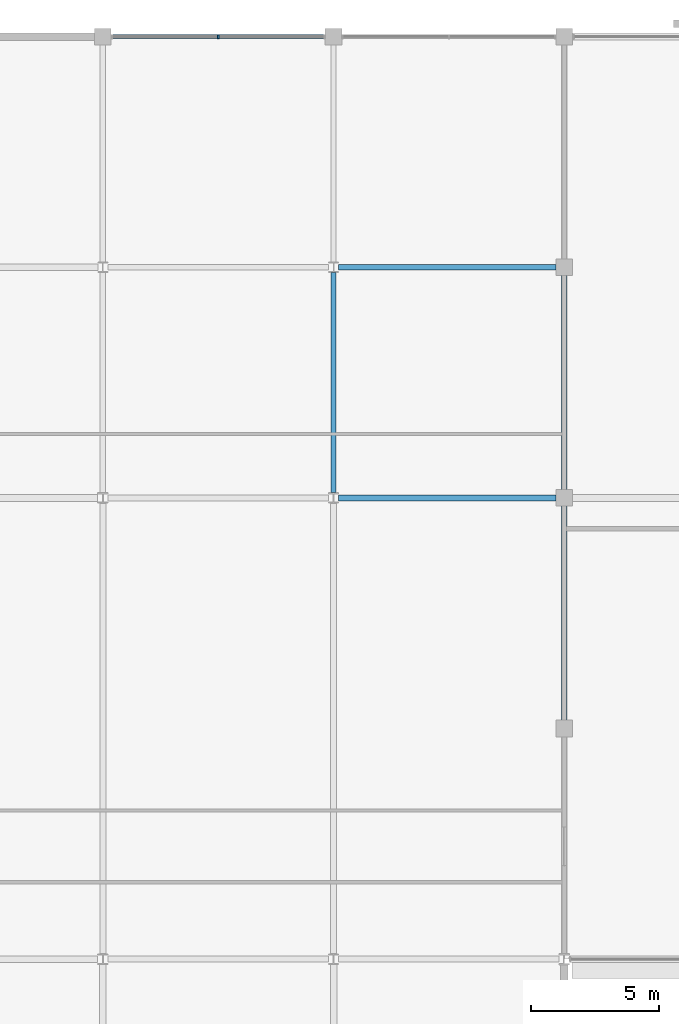
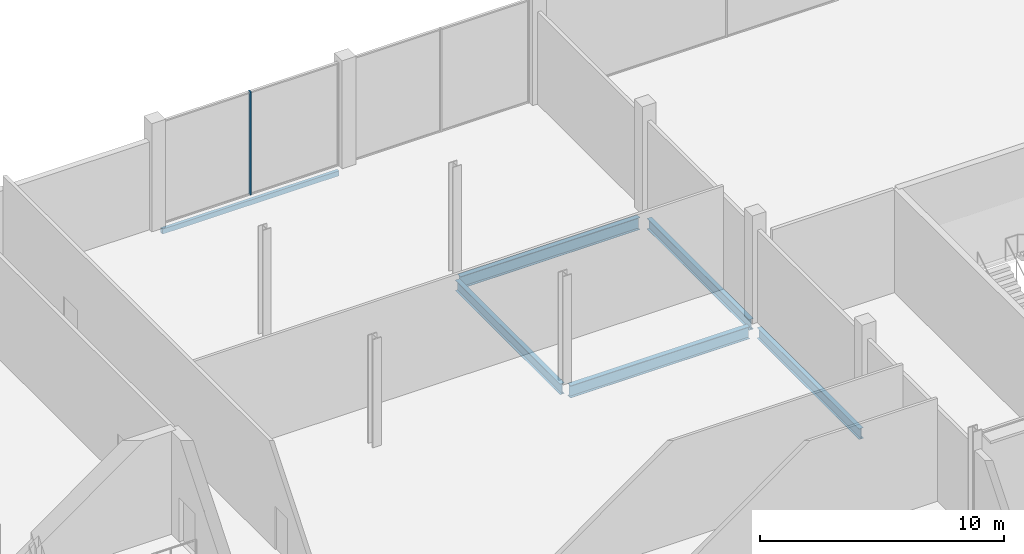
# One storey, part 30 of 111: 6 beams, 1 member, 1 element without a shape of its own.
"""IFC4 building model written with IfcOpenShell, lengths in metres."""

from ifc_helpers import new_model, si_unit, direction, frame, origin, origin_2d, place, context, subcontext, project, spatial, rectangle, hollow_rectangle, i_section, extrude, material, layer, layer_set, material_profile, profile_set, type_object, element, aggregate, save


model = new_model("IFC4")

# Units and contexts
model_context = context("Model", 3, precision=1e-05, world=origin(), true_north=direction((0.0, 1.0)))
body_context = subcontext(model_context, "Body", "Model", "MODEL_VIEW")
ifc_project = project(units=[si_unit("LENGTHUNIT", "METRE"), si_unit("AREAUNIT", "SQUARE_METRE"), si_unit("VOLUMEUNIT", "CUBIC_METRE"), si_unit("PLANEANGLEUNIT", "RADIAN"), si_unit("MASSUNIT", "GRAM", prefix="KILO")], contexts=[model_context])

# Site, building, storey
site_placement = place(None, origin())
site = spatial("IfcSite", under=ifc_project, at=site_placement, CompositionType="ELEMENT")
building_placement = place(site_placement, origin())
building = spatial("IfcBuilding", under=site, at=building_placement, Name="Kisiwana Market Hall", CompositionType="ELEMENT")
storey_placement = place(building_placement, frame((0.0, 0.0, 11.39990234375)))
storey = spatial("IfcBuildingStorey", under=building, at=storey_placement, Name="L02", CompositionType="ELEMENT", Elevation=11.39990234375)

# Beams
ifc_material_1 = material(Name="Steel S355", Category="steel")
ifc_material_profile_1 = material_profile(ifc_material_1, i_section(OverallWidth=0.209228515625, OverallDepth=0.533203125, WebThickness=0.010009765625, FlangeThickness=0.015625, at=origin_2d()), Name="UB 533x210x92")
ifc_profile_set_1 = profile_set([ifc_material_profile_1], Name="Steel S355")
beam_type_1 = type_object("IfcBeamType", Name="BM-GIRD-UB533", PredefinedType="BEAM", material=ifc_profile_set_1)
beam_1_placement = place(storey_placement, frame((36.0, 102.21337890625, -0.516357421875), z_axis=(0.0, 1.0, 0.0), x_axis=(-1.0, 0.0, 0.0)))
element("IfcBeam", 1, at=beam_1_placement, inside=storey, type_object=beam_type_1, Name="Primary girder B-0621", PredefinedType="BEAM", context=body_context, shape_type="SweptSolid", body=[
    extrude(i_section(OverallWidth=0.209228515625, OverallDepth=0.533203125, WebThickness=0.010009765625, FlangeThickness=0.015625, at=origin_2d()), origin(), (0.0, 0.0, 1.0), 8.58740234375),
])
for number, where, z_axis, x_axis, name in (
    (2, (45.0, 93.321044921875, -0.516357421875), (0.0, 1.0, 0.0), (-1.0, 0.0, 0.0), "Primary girder B-0628"),
    (3, (45.0, 102.321044921875, -0.516357421875), (0.0, 1.0, 0.0), (-1.0, 0.0, 0.0), "Primary girder B-0629"),
):
    element("IfcBeam", number, at=place(storey_placement, frame(where, z_axis=z_axis, x_axis=x_axis)), inside=storey, type_object=beam_type_1, Name=name, PredefinedType="BEAM", context=body_context, shape_type="SweptSolid", body=[
        extrude(i_section(OverallWidth=0.209228515625, OverallDepth=0.533203125, WebThickness=0.010009765625, FlangeThickness=0.015625, at=origin_2d()), origin(), (0.0, 0.0, 1.0), 8.35791015625),
    ])
ifc_material_2 = material(Name="Steel S355", Category="steel")
ifc_material_profile_2 = material_profile(ifc_material_2, i_section(OverallWidth=0.22900390625, OverallDepth=0.6123046875, WebThickness=0.011962890625, FlangeThickness=0.01953125, at=origin_2d()), Name="UB 610x229x125")
ifc_profile_set_2 = profile_set([ifc_material_profile_2], Name="Steel S355")
beam_type_2 = type_object("IfcBeamType", Name="BM-GIRD-UB610H", PredefinedType="BEAM", material=ifc_profile_set_2)
beam_2_placement = place(storey_placement, frame((36.201904296875, 102.0, -0.555908203125), z_axis=(1.0, 0.0, 0.0), x_axis=(0.0, 1.0, 0.0)))
element("IfcBeam", 4, at=beam_2_placement, inside=storey, type_object=beam_type_2, Name="Floor beam B-0792", PredefinedType="BEAM", context=body_context, shape_type="SweptSolid", body=[
    extrude(i_section(OverallWidth=0.22900390625, OverallDepth=0.6123046875, WebThickness=0.011962890625, FlangeThickness=0.01953125, at=origin_2d()), origin(), (0.0, 0.0, 1.0), 8.47705078125),
])
beam_3_placement = place(storey_placement, frame((36.197509765625, 111.0, -0.555908203125), z_axis=(1.0, 0.0, 0.0), x_axis=(0.0, 1.0, 0.0)))
element("IfcBeam", 5, at=beam_3_placement, inside=storey, type_object=beam_type_2, Name="Floor beam B-0806", PredefinedType="BEAM", context=body_context, shape_type="SweptSolid", body=[
    extrude(i_section(OverallWidth=0.22900390625, OverallDepth=0.6123046875, WebThickness=0.011962890625, FlangeThickness=0.01953125, at=origin_2d()), origin(), (0.0, 0.0, 1.0), 8.4814453125),
])
ifc_material_3 = material(Name="Steel S355", Category="steel")
ifc_material_profile_3 = material_profile(ifc_material_3, hollow_rectangle(XDim=0.14990234375, YDim=0.25, WallThickness=0.010009765625, at=origin_2d()), Name="RHS 250x150x10.0")
ifc_profile_set_3 = profile_set([ifc_material_profile_3], Name="Steel S355")
beam_type_3 = type_object("IfcBeamType", Name="BM-SPAN-RHS250", PredefinedType="SPANDREL", material=ifc_profile_set_3)
beam_4_placement = place(storey_placement, frame((27.321044921875, 120.0, -0.375), z_axis=(1.0, 0.0, 0.0), x_axis=(0.0, 1.0, 0.0)))
element("IfcBeam", 6, at=beam_4_placement, inside=storey, type_object=beam_type_3, Name="Floor beam B-0813", PredefinedType="SPANDREL", context=body_context, shape_type="SweptSolid", body=[
    extrude(hollow_rectangle(XDim=0.14990234375, YDim=0.25, WallThickness=0.010009765625, at=origin_2d()), origin(), (0.0, 0.0, 1.0), 8.35791015625),
])

# Curtain wall, member
ifc_material_4 = material(Name="Double-glazed solar-control low-E IGU", Category="glass")
ifc_layer = layer(ifc_material_4, 0.159912109375)
ifc_layer_set = layer_set([ifc_layer], Name="CW-GLD-E-7200")
curtain_wall_type = type_object("IfcCurtainWallType", Name="CW-GLD-E-7200", PredefinedType="USERDEFINED", material=ifc_layer_set)
curtain_wall_placement = place(storey_placement, origin())
curtain_wall = element("IfcCurtainWall", 7, at=curtain_wall_placement, inside=storey, type_object=curtain_wall_type, Name="Unitised curtain wall CW-080 (L02)", ObjectType="UNITISED CURTAIN WALL", PredefinedType="USERDEFINED")
ifc_material_5 = material(Name="Aluminium alloy 6063-T6", Category="aluminium")
ifc_material_profile_4 = material_profile(ifc_material_5, rectangle(XDim=0.06005859375, YDim=0.159912109375, at=origin_2d()), Name="ALU MULLION 60x160")
ifc_profile_set_4 = profile_set([ifc_material_profile_4], Name="Aluminium alloy 6063-T6")
member_type = type_object("IfcMemberType", Name="CW-MULL-60x160", PredefinedType="MULLION", material=ifc_profile_set_4)
member_placement = place(storey_placement, frame((31.5, 120.0, 0.0), z_axis=(0.0, 0.0, 1.0), x_axis=(1.0, 0.0, 0.0)))
member = element("IfcMember", 8, at=member_placement, type_object=member_type, Name="CW-080 mullion 2", PredefinedType="MULLION", context=body_context, shape_type="SweptSolid", body=[
    extrude(rectangle(XDim=0.06005859375, YDim=0.159912109375, at=origin_2d()), origin(), (0.0, 0.0, 1.0), 5.150146484375),
])
aggregate(curtain_wall, [member])

save(model, "model.ifc")
